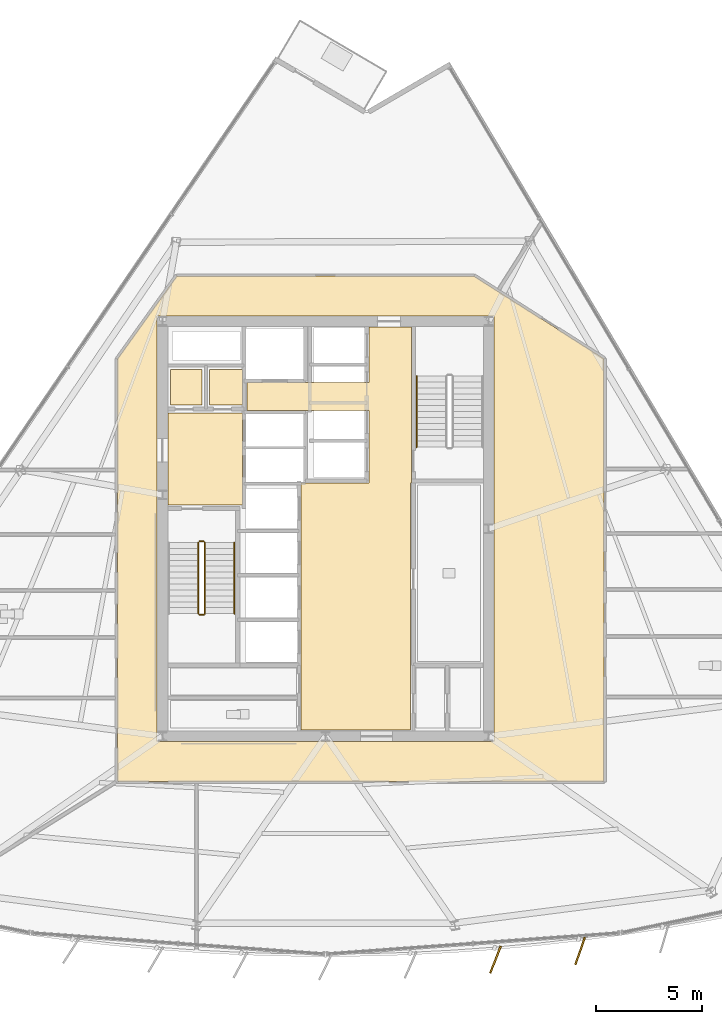
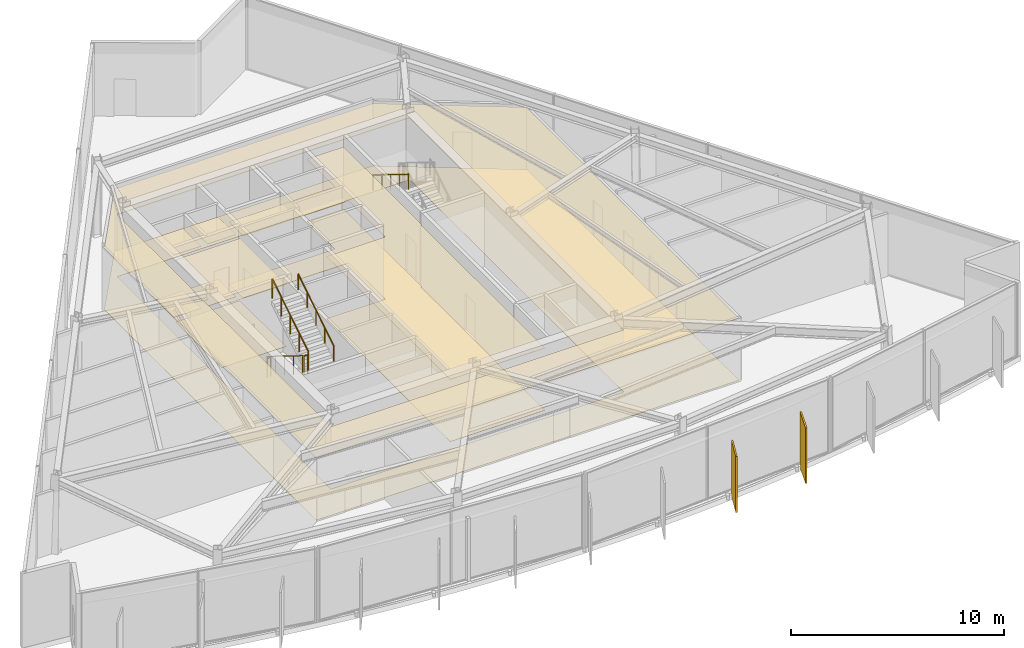
# One storey, part 11 of 14: 10 coverings, 6 railings, 2 shading devices.
"""IFC4 building model written with IfcOpenShell, lengths in metres."""

from ifc_helpers import new_model, si_unit, direction, frame, origin, origin_2d, place, context, subcontext, project, spatial, polyline, rectangle, circle, outline, extrude, material, layer, layer_set, type_object, element, save


model = new_model("IFC4")

# Units and contexts
model_context = context("Model", 3, precision=1e-05, world=origin(), true_north=direction((0.0, 1.0)))
body_context = subcontext(model_context, "Body", "Model", "MODEL_VIEW")
ifc_project = project(units=[si_unit("LENGTHUNIT", "METRE"), si_unit("AREAUNIT", "SQUARE_METRE"), si_unit("VOLUMEUNIT", "CUBIC_METRE"), si_unit("PLANEANGLEUNIT", "RADIAN"), si_unit("MASSUNIT", "GRAM", prefix="KILO")], contexts=[model_context])

# Site, building, storey
site_placement = place(None, origin())
site = spatial("IfcSite", under=ifc_project, at=site_placement, CompositionType="ELEMENT")
building_placement = place(site_placement, origin())
building = spatial("IfcBuilding", under=site, at=building_placement, Name="Savorim Split Tower", CompositionType="ELEMENT")
storey_placement = place(building_placement, frame((0.0, 0.0, 134.10009765625)))
storey = spatial("IfcBuildingStorey", under=building, at=storey_placement, Name="L35", CompositionType="ELEMENT", Elevation=134.10009765625)

# Coverings
ifc_material_1 = material(Name="Mineral Fibre Acoustic Ceiling")
ifc_layer_1 = layer(ifc_material_1, 0.02490234375)
ifc_layer_set_1 = layer_set([ifc_layer_1], Name="COV-CEIL-25")
covering_type_1 = type_object("IfcCoveringType", Name="COV-CEIL-25", PredefinedType="CEILING", material=ifc_layer_set_1)
covering_1_placement = place(storey_placement, frame((0.0, 0.0, 3.56982421875)))
element("IfcCovering", 1, at=covering_1_placement, inside=storey, type_object=covering_type_1, Name="L35 Firefighting Lift Lobby Acoustic Ceiling", PredefinedType="CEILING", context=body_context, shape_type="SweptSolid", body=[
    extrude(outline(polyline([(-7.429931640625, 5.8701171875), (-7.429931640625, 1.530029296875), (-3.929931640625, 1.530029296875), (-3.929931640625, 5.8701171875), (-7.429931640625, 5.8701171875)])), origin(), (0.0, 0.0, 1.0), 0.025146484375),
])
covering_2_placement = place(storey_placement, frame((0.0, 0.0, 3.56982421875)))
element("IfcCovering", 2, at=covering_2_placement, inside=storey, type_object=covering_type_1, Name="L35 Electrical Riser Acoustic Ceiling", PredefinedType="CEILING", context=body_context, shape_type="SweptSolid", body=[
    extrude(outline(polyline([(-7.320068359375, 7.919921875), (-7.320068359375, 6.22998046875), (-5.830078125, 6.22998046875), (-5.830078125, 7.919921875), (-7.320068359375, 7.919921875)])), origin(), (0.0, 0.0, 1.0), 0.025146484375),
])
covering_3_placement = place(storey_placement, frame((0.0, 0.0, 3.56982421875)))
element("IfcCovering", 3, at=covering_3_placement, inside=storey, type_object=covering_type_1, Name="L35 Telecom Riser Acoustic Ceiling", PredefinedType="CEILING", context=body_context, shape_type="SweptSolid", body=[
    extrude(outline(polyline([(-5.469970703125, 7.919921875), (-5.469970703125, 6.22998046875), (-3.929931640625, 6.22998046875), (-3.929931640625, 7.919921875), (-5.469970703125, 7.919921875)])), origin(), (0.0, 0.0, 1.0), 0.025146484375),
])
covering_4_placement = place(storey_placement, frame((0.0, 0.0, 3.56982421875)))
element("IfcCovering", 4, at=covering_4_placement, inside=storey, type_object=covering_type_1, Name="L35 Lift Lobby Acoustic Ceiling", PredefinedType="CEILING", context=body_context, shape_type="SweptSolid", body=[
    extrude(outline(polyline([(2.050048828125, 2.550048828125), (-1.14990234375, 2.550048828125), (-1.14990234375, -9.10009765625), (4.0, -9.10009765625), (4.0, 2.550048828125), (4.050048828125, 2.550048828125), (4.050048828125, 5.97998046875), (4.050048828125, 7.300048828125), (4.050048828125, 9.929931640625), (2.050048828125, 9.929931640625), (2.050048828125, 7.300048828125), (-3.699951171875, 7.300048828125), (-3.699951171875, 5.97998046875), (2.050048828125, 5.97998046875), (2.050048828125, 2.550048828125)])), origin(), (0.0, 0.0, 1.0), 0.025146484375),
])
covering_5_placement = place(storey_placement, frame((0.0, 0.0, 3.56982421875)))
element("IfcCovering", 5, at=covering_5_placement, inside=storey, type_object=covering_type_1, Name="L35 Corridor Acoustic Ceiling", PredefinedType="CEILING", context=body_context, shape_type="SweptSolid", body=[
    extrude(outline(polyline([(7.009521484375, 12.3291015625), (7.004638671875, 12.329833984375), (7.0, 12.330078125), (-7.0, 12.330078125), (-7.004638671875, 12.329833984375), (-7.009521484375, 12.3291015625), (-7.013916015625, 12.327880859375), (-7.0185546875, 12.326416015625), (-7.022705078125, 12.324462890625), (-7.027099609375, 12.322021484375), (-7.03076171875, 12.3193359375), (-7.034423828125, 12.31640625), (-7.03759765625, 12.312744140625), (-7.04052734375, 12.30908203125), (-9.820556640625, 8.42919921875), (-9.823486328125, 8.4248046875), (-9.82568359375, 8.420166015625), (-9.82763671875, 8.415283203125), (-9.828857421875, 8.410400390625), (-9.82958984375, 8.4052734375), (-9.830078125, 8.39990234375), (-9.830078125, -11.47998046875), (-9.829833984375, -11.48486328125), (-9.8291015625, -11.48974609375), (-9.827880859375, -11.494384765625), (-9.826171875, -11.4990234375), (-9.82421875, -11.503662109375), (-9.821533203125, -11.5078125), (-9.818603515625, -11.51171875), (-9.8154296875, -11.515380859375), (-9.811767578125, -11.518798828125), (-9.807861328125, -11.521484375), (-9.8037109375, -11.524169921875), (-9.799072265625, -11.526123046875), (-9.79443359375, -11.52783203125), (-9.789794921875, -11.529052734375), (-9.784912109375, -11.52978515625), (-9.780029296875, -11.530029296875), (13.10009765625, -11.530029296875), (13.10498046875, -11.52978515625), (13.10986328125, -11.529052734375), (13.114501953125, -11.52783203125), (13.119140625, -11.526123046875), (13.12353515625, -11.524169921875), (13.127685546875, -11.521484375), (13.131591796875, -11.518798828125), (13.135498046875, -11.515380859375), (13.138671875, -11.51171875), (13.1416015625, -11.5078125), (13.14404296875, -11.503662109375), (13.146240234375, -11.4990234375), (13.147705078125, -11.494384765625), (13.14892578125, -11.48974609375), (13.14990234375, -11.48486328125), (13.14990234375, -11.47998046875), (13.14990234375, 8.39990234375), (13.149658203125, 8.405029296875), (13.14892578125, 8.409912109375), (13.147705078125, 8.414794921875), (13.14599609375, 8.41943359375), (13.143798828125, 8.424072265625), (13.14111328125, 8.42822265625), (13.13818359375, 8.432373046875), (13.134765625, 8.43603515625), (13.130859375, 8.439208984375), (13.126708984375, 8.442138671875), (7.02685546875, 12.322265625), (7.022705078125, 12.324462890625), (7.018310546875, 12.326416015625), (7.013916015625, 12.327880859375), (7.009521484375, 12.3291015625)]), holes=[polyline([(-7.949951171875, 10.449951171875), (-7.949951171875, -9.64990234375), (7.949951171875, -9.64990234375), (7.949951171875, 10.449951171875), (-7.949951171875, 10.449951171875)])]), origin(), (0.0, 0.0, 1.0), 0.025146484375),
])
ifc_material_2 = material(Name="Porcelain Stoneware Flooring", Category="masonry")
ifc_layer_2 = layer(ifc_material_2, 0.02001953125)
ifc_layer_set_2 = layer_set([ifc_layer_2], Name="COV-FLOR-20")
covering_type_2 = type_object("IfcCoveringType", Name="COV-FLOR-20", PredefinedType="FLOORING", material=ifc_layer_set_2)
covering_6_placement = place(storey_placement, origin())
element("IfcCovering", 6, at=covering_6_placement, inside=storey, type_object=covering_type_2, Name="L35 Firefighting Lift Lobby Porcelain Flooring", PredefinedType="FLOORING", context=body_context, shape_type="SweptSolid", body=[
    extrude(outline(polyline([(-7.429931640625, 5.8701171875), (-7.429931640625, 1.530029296875), (-3.929931640625, 1.530029296875), (-3.929931640625, 5.8701171875), (-7.429931640625, 5.8701171875)])), origin(), (0.0, 0.0, 1.0), 0.02001953125),
])
covering_7_placement = place(storey_placement, origin())
element("IfcCovering", 7, at=covering_7_placement, inside=storey, type_object=covering_type_2, Name="L35 Electrical Riser Porcelain Flooring", PredefinedType="FLOORING", context=body_context, shape_type="SweptSolid", body=[
    extrude(outline(polyline([(-7.320068359375, 7.919921875), (-7.320068359375, 6.22998046875), (-5.830078125, 6.22998046875), (-5.830078125, 7.919921875), (-7.320068359375, 7.919921875)])), origin(), (0.0, 0.0, 1.0), 0.02001953125),
])
covering_8_placement = place(storey_placement, origin())
element("IfcCovering", 8, at=covering_8_placement, inside=storey, type_object=covering_type_2, Name="L35 Telecom Riser Porcelain Flooring", PredefinedType="FLOORING", context=body_context, shape_type="SweptSolid", body=[
    extrude(outline(polyline([(-5.469970703125, 7.919921875), (-5.469970703125, 6.22998046875), (-3.929931640625, 6.22998046875), (-3.929931640625, 7.919921875), (-5.469970703125, 7.919921875)])), origin(), (0.0, 0.0, 1.0), 0.02001953125),
])
covering_9_placement = place(storey_placement, origin())
element("IfcCovering", 9, at=covering_9_placement, inside=storey, type_object=covering_type_2, Name="L35 Lift Lobby Porcelain Flooring", PredefinedType="FLOORING", context=body_context, shape_type="SweptSolid", body=[
    extrude(outline(polyline([(2.050048828125, 2.550048828125), (-1.14990234375, 2.550048828125), (-1.14990234375, -9.10009765625), (4.0, -9.10009765625), (4.0, 2.550048828125), (4.050048828125, 2.550048828125), (4.050048828125, 5.97998046875), (4.050048828125, 7.300048828125), (4.050048828125, 9.929931640625), (2.050048828125, 9.929931640625), (2.050048828125, 7.300048828125), (-3.699951171875, 7.300048828125), (-3.699951171875, 5.97998046875), (2.050048828125, 5.97998046875), (2.050048828125, 2.550048828125)])), origin(), (0.0, 0.0, 1.0), 0.02001953125),
])
covering_10_placement = place(storey_placement, origin())
element("IfcCovering", 10, at=covering_10_placement, inside=storey, type_object=covering_type_2, Name="L35 Corridor Porcelain Flooring", PredefinedType="FLOORING", context=body_context, shape_type="SweptSolid", body=[
    extrude(outline(polyline([(7.009521484375, 12.3291015625), (7.004638671875, 12.329833984375), (7.0, 12.330078125), (-7.0, 12.330078125), (-7.004638671875, 12.329833984375), (-7.009521484375, 12.3291015625), (-7.013916015625, 12.327880859375), (-7.0185546875, 12.326416015625), (-7.022705078125, 12.324462890625), (-7.027099609375, 12.322021484375), (-7.03076171875, 12.3193359375), (-7.034423828125, 12.31640625), (-7.03759765625, 12.312744140625), (-7.04052734375, 12.30908203125), (-9.820556640625, 8.42919921875), (-9.823486328125, 8.4248046875), (-9.82568359375, 8.420166015625), (-9.82763671875, 8.415283203125), (-9.828857421875, 8.410400390625), (-9.82958984375, 8.4052734375), (-9.830078125, 8.39990234375), (-9.830078125, -11.47998046875), (-9.829833984375, -11.48486328125), (-9.8291015625, -11.48974609375), (-9.827880859375, -11.494384765625), (-9.826171875, -11.4990234375), (-9.82421875, -11.503662109375), (-9.821533203125, -11.5078125), (-9.818603515625, -11.51171875), (-9.8154296875, -11.515380859375), (-9.811767578125, -11.518798828125), (-9.807861328125, -11.521484375), (-9.8037109375, -11.524169921875), (-9.799072265625, -11.526123046875), (-9.79443359375, -11.52783203125), (-9.789794921875, -11.529052734375), (-9.784912109375, -11.52978515625), (-9.780029296875, -11.530029296875), (13.10009765625, -11.530029296875), (13.10498046875, -11.52978515625), (13.10986328125, -11.529052734375), (13.114501953125, -11.52783203125), (13.119140625, -11.526123046875), (13.12353515625, -11.524169921875), (13.127685546875, -11.521484375), (13.131591796875, -11.518798828125), (13.135498046875, -11.515380859375), (13.138671875, -11.51171875), (13.1416015625, -11.5078125), (13.14404296875, -11.503662109375), (13.146240234375, -11.4990234375), (13.147705078125, -11.494384765625), (13.14892578125, -11.48974609375), (13.14990234375, -11.48486328125), (13.14990234375, -11.47998046875), (13.14990234375, 8.39990234375), (13.149658203125, 8.405029296875), (13.14892578125, 8.409912109375), (13.147705078125, 8.414794921875), (13.14599609375, 8.41943359375), (13.143798828125, 8.424072265625), (13.14111328125, 8.42822265625), (13.13818359375, 8.432373046875), (13.134765625, 8.43603515625), (13.130859375, 8.439208984375), (13.126708984375, 8.442138671875), (7.02685546875, 12.322265625), (7.022705078125, 12.324462890625), (7.018310546875, 12.326416015625), (7.013916015625, 12.327880859375), (7.009521484375, 12.3291015625)]), holes=[polyline([(-7.949951171875, 10.449951171875), (-7.949951171875, -9.64990234375), (7.949951171875, -9.64990234375), (7.949951171875, 10.449951171875), (-7.949951171875, 10.449951171875)])]), origin(), (0.0, 0.0, 1.0), 0.02001953125),
])

# Railings
ifc_material_3 = material(Name="Galvanised Painted Steel Balustrade", Category="steel")
railing_type_1 = type_object("IfcRailingType", Name="RLG-HR-900", PredefinedType="HANDRAIL", material=ifc_material_3)
railing_1_placement = place(storey_placement, frame((-4.300048828125, -3.610107421875, 2.423095703125)))
element("IfcRailing", 11, at=railing_1_placement, inside=storey, type_object=railing_type_1, Name="L35 ST-1 stair handrail 2", PredefinedType="HANDRAIL", context=body_context, shape_type="SweptSolid", body=[
    extrude(circle(Radius=0.02392578125, at=origin_2d()), frame((0.0, 0.0, 0.8759765625), z_axis=(0.0, 0.850623216509, 0.525775754039), x_axis=(-1.0, 0.0, 0.0)), (0.0, 0.0, 1.0), 3.9501953125),
    extrude(circle(Radius=0.02099609375, at=origin_2d()), origin(), (0.0, 0.0, 1.0), 0.851806640625),
    extrude(circle(Radius=0.02099609375, at=origin_2d()), frame((0.0, 0.840087890625, 0.519287109375)), (0.0, 0.0, 1.0), 0.851806640625),
    extrude(circle(Radius=0.02099609375, at=origin_2d()), frame((0.0, 1.68017578125, 1.03857421875)), (0.0, 0.0, 1.0), 0.851806640625),
    extrude(circle(Radius=0.02099609375, at=origin_2d()), frame((0.0, 2.52001953125, 1.5576171875)), (0.0, 0.0, 1.0), 0.851806640625),
    extrude(circle(Radius=0.02099609375, at=origin_2d()), frame((0.0, 3.360107421875, 2.076904296875)), (0.0, 0.0, 1.0), 0.851806640625),
])
railing_2_placement = place(storey_placement, frame((4.300048828125, 7.610107421875, 2.423095703125)))
element("IfcRailing", 12, at=railing_2_placement, inside=storey, type_object=railing_type_1, Name="L35 ST-2 stair handrail 2", PredefinedType="HANDRAIL", context=body_context, shape_type="SweptSolid", body=[
    extrude(circle(Radius=0.02392578125, at=origin_2d()), frame((0.0, 0.0, 0.8759765625), z_axis=(0.0, -0.850623216509, 0.525775754039), x_axis=(1.0, 0.0, 0.0)), (0.0, 0.0, 1.0), 3.9501953125),
    extrude(circle(Radius=0.02099609375, at=origin_2d()), origin(), (0.0, 0.0, 1.0), 0.851806640625),
    extrude(circle(Radius=0.02099609375, at=origin_2d()), frame((0.0, -0.840087890625, 0.519287109375)), (0.0, 0.0, 1.0), 0.851806640625),
    extrude(circle(Radius=0.02099609375, at=origin_2d()), frame((0.0, -1.68017578125, 1.03857421875)), (0.0, 0.0, 1.0), 0.851806640625),
    extrude(circle(Radius=0.02099609375, at=origin_2d()), frame((0.0, -2.52001953125, 1.5576171875)), (0.0, 0.0, 1.0), 0.851806640625),
    extrude(circle(Radius=0.02099609375, at=origin_2d()), frame((0.0, -3.360107421875, 2.076904296875)), (0.0, 0.0, 1.0), 0.851806640625),
])
railing_type_2 = type_object("IfcRailingType", Name="RLG-STG-1100", PredefinedType="BALUSTRADE", material=ifc_material_3)
railing_3_placement = place(storey_placement, frame((-6.0, -0.25, 0.173095703125)))
element("IfcRailing", 13, at=railing_3_placement, inside=storey, type_object=railing_type_2, Name="L35 ST-1 stair guard 1", PredefinedType="BALUSTRADE", context=body_context, shape_type="SweptSolid", body=[
    extrude(circle(Radius=0.02392578125, at=origin_2d()), frame((0.0, 0.0, 1.076171875), z_axis=(0.0, -0.850623216509, 0.525775754039), x_axis=(1.0, 0.0, 0.0)), (0.0, 0.0, 1.0), 3.9501953125),
    extrude(circle(Radius=0.02099609375, at=origin_2d()), origin(), (0.0, 0.0, 1.0), 1.052001953125),
    extrude(circle(Radius=0.02099609375, at=origin_2d()), frame((0.0, -0.840087890625, 0.519287109375)), (0.0, 0.0, 1.0), 1.052001953125),
    extrude(circle(Radius=0.02099609375, at=origin_2d()), frame((0.0, -1.68017578125, 1.03857421875)), (0.0, 0.0, 1.0), 1.052001953125),
    extrude(circle(Radius=0.02099609375, at=origin_2d()), frame((0.0, -2.52001953125, 1.5576171875)), (0.0, 0.0, 1.0), 1.052001953125),
    extrude(circle(Radius=0.02099609375, at=origin_2d()), frame((0.0, -3.360107421875, 2.076904296875)), (0.0, 0.0, 1.0), 1.052001953125),
])
railing_4_placement = place(storey_placement, frame((-5.949951171875, -3.659912109375, 2.25)))
element("IfcRailing", 14, at=railing_4_placement, inside=storey, type_object=railing_type_2, Name="L35 ST-1 stair guard 2", PredefinedType="BALUSTRADE", context=body_context, shape_type="SweptSolid", body=[
    extrude(circle(Radius=0.02392578125, at=origin_2d()), frame((0.0, 0.0, 1.076171875), z_axis=(1.0, 0.0, 0.0), x_axis=(0.0, 1.0, 0.0)), (0.0, 0.0, 1.0), 0.199951171875),
    extrude(circle(Radius=0.02099609375, at=origin_2d()), origin(), (0.0, 0.0, 1.0), 1.052001953125),
    extrude(circle(Radius=0.02099609375, at=origin_2d()), frame((0.199951171875, 0.0, 0.0)), (0.0, 0.0, 1.0), 1.052001953125),
])
railing_5_placement = place(storey_placement, frame((-5.699951171875, -3.610107421875, 2.423095703125)))
element("IfcRailing", 15, at=railing_5_placement, inside=storey, type_object=railing_type_2, Name="L35 ST-1 stair guard 3", PredefinedType="BALUSTRADE", context=body_context, shape_type="SweptSolid", body=[
    extrude(circle(Radius=0.02392578125, at=origin_2d()), frame((0.0, 0.0, 1.076171875), z_axis=(0.0, 0.850623216509, 0.525775754039), x_axis=(-1.0, 0.0, 0.0)), (0.0, 0.0, 1.0), 3.9501953125),
    extrude(circle(Radius=0.02099609375, at=origin_2d()), origin(), (0.0, 0.0, 1.0), 1.052001953125),
    extrude(circle(Radius=0.02099609375, at=origin_2d()), frame((0.0, 0.840087890625, 0.519287109375)), (0.0, 0.0, 1.0), 1.052001953125),
    extrude(circle(Radius=0.02099609375, at=origin_2d()), frame((0.0, 1.68017578125, 1.03857421875)), (0.0, 0.0, 1.0), 1.052001953125),
    extrude(circle(Radius=0.02099609375, at=origin_2d()), frame((0.0, 2.52001953125, 1.5576171875)), (0.0, 0.0, 1.0), 1.052001953125),
    extrude(circle(Radius=0.02099609375, at=origin_2d()), frame((0.0, 3.360107421875, 2.076904296875)), (0.0, 0.0, 1.0), 1.052001953125),
])
railing_6_placement = place(storey_placement, frame((-5.949951171875, -0.199951171875, 0.0)))
element("IfcRailing", 16, at=railing_6_placement, inside=storey, type_object=railing_type_2, Name="L35 ST-1 stair guard 4", PredefinedType="BALUSTRADE", context=body_context, shape_type="SweptSolid", body=[
    extrude(circle(Radius=0.02392578125, at=origin_2d()), frame((0.0, 0.0, 1.076171875), z_axis=(1.0, 0.0, 0.0), x_axis=(0.0, 1.0, 0.0)), (0.0, 0.0, 1.0), 0.199951171875),
    extrude(circle(Radius=0.02099609375, at=origin_2d()), origin(), (0.0, 0.0, 1.0), 1.052001953125),
    extrude(circle(Radius=0.02099609375, at=origin_2d()), frame((0.199951171875, 0.0, 0.0)), (0.0, 0.0, 1.0), 1.052001953125),
])

# Shading devices
ifc_material_4 = material(Name="Terracotta Ceramic-Coated Aluminium Fin", Category="masonry")
shading_device_type = type_object("IfcShadingDeviceType", Name="SHD-FIN-1360", PredefinedType="USERDEFINED", material=ifc_material_4)
for number, where, z_axis, x_axis, name in (
    (17, (8.0234375, -19.948974609375, -0.2001953125), (0.0, 0.0, 1.0), (-0.363415461732, -0.931627179817, 0.0), "L35 Sawtooth Shading Fin 09"),
    (18, (12.0185546875, -19.538818359375, -0.2001953125), (0.0, 0.0, 1.0), (-0.324993810493, -0.945716143005, 0.0), "L35 Sawtooth Shading Fin 10"),
):
    element("IfcShadingDevice", number, at=place(storey_placement, frame(where, z_axis=z_axis, x_axis=x_axis)), inside=storey, type_object=shading_device_type, Name=name, ObjectType="FIN", PredefinedType="USERDEFINED", context=body_context, shape_type="SweptSolid", body=[
        extrude(rectangle(XDim=1.360107421875, YDim=0.080078125, at=origin_2d()), origin(), (0.0, 0.0, 1.0), 3.199951171875),
    ])

save(model, "model.ifc")
